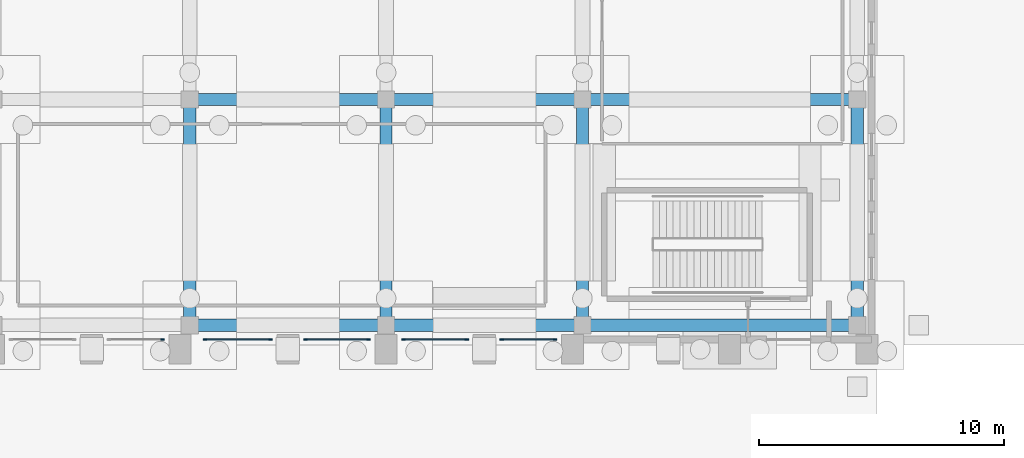
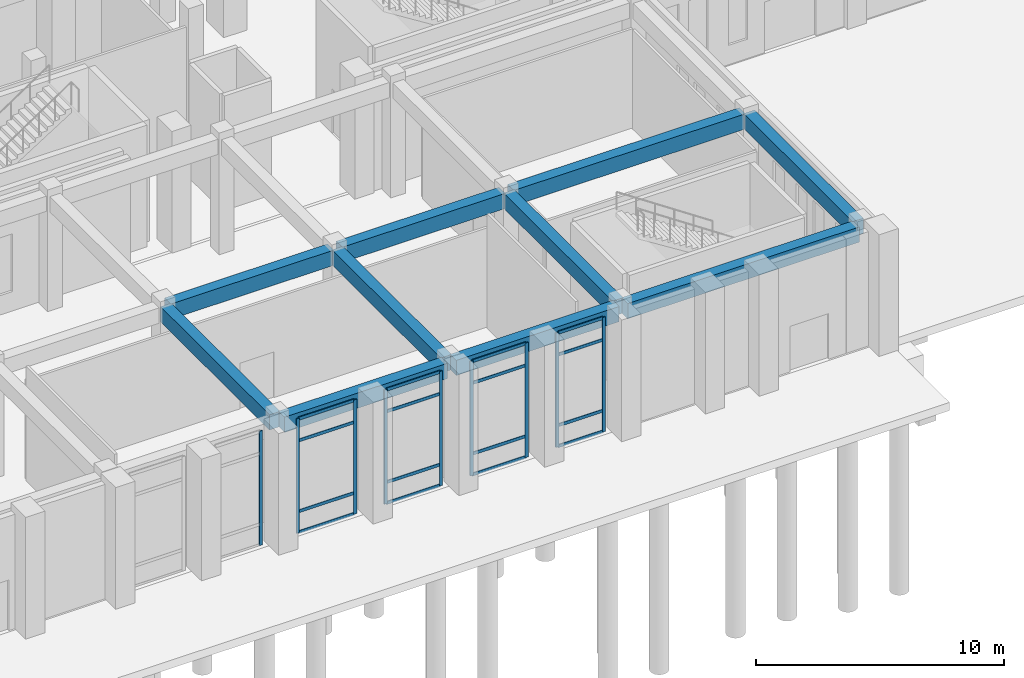
# One storey, part 25 of 143: 25 members, 10 beams, 5 elements without a shape of their own.
"""IFC4 building model written with IfcOpenShell, lengths in metres."""

from ifc_helpers import new_model, si_unit, derived_unit, direction, frame, origin, origin_2d, place, context, subcontext, project, spatial, rectangle, extrude, material, layer, layer_set, material_profile, profile_set, type_object, element, aggregate, save


model = new_model("IFC4")

# Units and contexts
model_context = context("Model", 3, precision=1e-05, world=origin(), true_north=direction((0.0, 1.0)))
body_context = subcontext(model_context, "Body", "Model", "MODEL_VIEW")
ifc_project = project(units=[si_unit("LENGTHUNIT", "METRE"), si_unit("AREAUNIT", "SQUARE_METRE"), si_unit("VOLUMEUNIT", "CUBIC_METRE"), si_unit("PLANEANGLEUNIT", "RADIAN"), si_unit("MASSUNIT", "GRAM", prefix="KILO"), derived_unit("THERMALTRANSMITTANCEUNIT", [(si_unit("MASSUNIT", "GRAM", prefix="KILO"), 1), (si_unit("TIMEUNIT", "SECOND"), -3), (si_unit("THERMODYNAMICTEMPERATUREUNIT", "KELVIN"), -1)])], contexts=[model_context])

# Site, building, storey
site_placement = place(None, origin())
site = spatial("IfcSite", under=ifc_project, at=site_placement, CompositionType="ELEMENT")
building_placement = place(site_placement, origin())
building = spatial("IfcBuilding", under=site, at=building_placement, Name="Valcora Ridge Arena", CompositionType="ELEMENT")
storey_placement = place(building_placement, origin())
storey = spatial("IfcBuildingStorey", under=building, at=storey_placement, Name="L00", CompositionType="ELEMENT", Elevation=0.0)

# Beams
ifc_material_1 = material(Name="Concrete C40/50", Category="concrete")
ifc_material_profile_1 = material_profile(ifc_material_1, rectangle(XDim=0.5, YDim=0.75, at=origin_2d()), Name="RC 500x750")
ifc_profile_set_1 = profile_set([ifc_material_profile_1], Name="Concrete C40/50")
beam_type_1 = type_object("IfcBeamType", Name="TY-BEAM-B-RC500-X", PredefinedType="BEAM", material=ifc_profile_set_1)
for number, where, z_axis, x_axis, name in (
    (1, (32.199951171875, 10.0, 5.264892578125), (1.0, 0.0, 0.0), (0.0, 1.0, 0.0), "B-RC500-X BEM-B-RC500-X-0005"),
    (2, (40.199951171875, 10.0, 5.264892578125), (1.0, 0.0, 0.0), (0.0, 1.0, 0.0), "B-RC500-X BEM-B-RC500-X-0006"),
):
    element("IfcBeam", number, at=place(storey_placement, frame(where, z_axis=z_axis, x_axis=x_axis)), inside=storey, type_object=beam_type_1, Name=name, PredefinedType="BEAM", context=body_context, shape_type="SweptSolid", body=[
        extrude(rectangle(XDim=0.5, YDim=0.75, at=origin_2d()), origin(), (0.0, 0.0, 1.0), 7.60009765625),
    ])
beam_1_placement = place(storey_placement, frame((48.199951171875, 10.0, 5.264892578125), z_axis=(1.0, 0.0, 0.0), x_axis=(0.0, 1.0, 0.0)))
element("IfcBeam", 3, at=beam_1_placement, inside=storey, type_object=beam_type_1, Name="B-RC500-X BEM-B-RC500-X-0007", PredefinedType="BEAM", context=body_context, shape_type="SweptSolid", body=[
    extrude(rectangle(XDim=0.5, YDim=0.75, at=origin_2d()), origin(), (0.0, 0.0, 1.0), 10.800048828125),
])
ifc_material_profile_2 = material_profile(ifc_material_1, rectangle(XDim=0.5, YDim=0.75, at=origin_2d()), Name="RC 500x750")
ifc_profile_set_2 = profile_set([ifc_material_profile_2], Name="Concrete C40/50")
beam_type_2 = type_object("IfcBeamType", Name="TY-BEAM-B-RC500-Y", PredefinedType="BEAM", material=ifc_profile_set_2)
for number, where, z_axis, x_axis, name in (
    (4, (32.0, 1.0, 5.264892578125), (0.0, 1.0, 0.0), (-1.0, 0.0, 0.0), "B-RC500-Y BEM-B-RC500-Y-0026"),
    (5, (40.0, 1.0, 5.264892578125), (0.0, 1.0, 0.0), (-1.0, 0.0, 0.0), "B-RC500-Y BEM-B-RC500-Y-0028"),
    (6, (48.0, 1.0, 5.264892578125), (0.0, 1.0, 0.0), (-1.0, 0.0, 0.0), "B-RC500-Y BEM-B-RC500-Y-0030"),
    (7, (59.199951171875, 1.0, 5.264892578125), (0.0, 1.0, 0.0), (-1.0, 0.0, 0.0), "B-RC500-Y BEM-B-RC500-Y-0032"),
):
    element("IfcBeam", number, at=place(storey_placement, frame(where, z_axis=z_axis, x_axis=x_axis)), inside=storey, type_object=beam_type_2, Name=name, PredefinedType="BEAM", context=body_context, shape_type="SweptSolid", body=[
        extrude(rectangle(XDim=0.5, YDim=0.75, at=origin_2d()), origin(), (0.0, 0.0, 1.0), 8.800048828125),
    ])
ifc_material_profile_3 = material_profile(ifc_material_1, rectangle(XDim=0.5, YDim=0.75, at=origin_2d()), Name="RC 500x750")
ifc_profile_set_3 = profile_set([ifc_material_profile_3], Name="Concrete C40/50")
beam_type_3 = type_object("IfcBeamType", Name="TY-BEAM-EB-RC500", PredefinedType="BEAM", material=ifc_profile_set_3)
for number, where, z_axis, x_axis, name in (
    (8, (32.199951171875, 0.800048828125, 5.264892578125), (1.0, 0.0, 0.0), (0.0, 1.0, 0.0), "EB-RC500 BEM-EB-RC500-0005"),
    (9, (40.199951171875, 0.800048828125, 5.264892578125), (1.0, 0.0, 0.0), (0.0, 1.0, 0.0), "EB-RC500 BEM-EB-RC500-0006"),
):
    element("IfcBeam", number, at=place(storey_placement, frame(where, z_axis=z_axis, x_axis=x_axis)), inside=storey, type_object=beam_type_3, Name=name, PredefinedType="BEAM", context=body_context, shape_type="SweptSolid", body=[
        extrude(rectangle(XDim=0.5, YDim=0.75, at=origin_2d()), origin(), (0.0, 0.0, 1.0), 7.60009765625),
    ])
beam_2_placement = place(storey_placement, frame((48.199951171875, 0.800048828125, 5.264892578125), z_axis=(1.0, 0.0, 0.0), x_axis=(0.0, 1.0, 0.0)))
element("IfcBeam", 10, at=beam_2_placement, inside=storey, type_object=beam_type_3, Name="EB-RC500 BEM-EB-RC500-0007", PredefinedType="BEAM", context=body_context, shape_type="SweptSolid", body=[
    extrude(rectangle(XDim=0.5, YDim=0.75, at=origin_2d()), origin(), (0.0, 0.0, 1.0), 10.800048828125),
])

# Curtain wall, member
ifc_material_2 = material(Name="Anodised dark bronze architectural aluminium 6063-T6", Category="aluminium")
ifc_layer_1 = layer(ifc_material_2, 0.14990234375, Name="Anodised dark bronze architectural aluminium 6063-T6")
ifc_layer_set_1 = layer_set([ifc_layer_1], Name="Anodised dark bronze architectural aluminium 6063-T6")
curtain_wall_type_1 = type_object("IfcCurtainWallType", Name="TY-CURTAINWALL-CW-V4-CLUB-022X56", PredefinedType="NOTDEFINED", material=ifc_layer_set_1)
curtain_wall_1_placement = place(storey_placement, origin())
curtain_wall_1 = element("IfcCurtainWall", 11, at=curtain_wall_1_placement, inside=storey, type_object=curtain_wall_type_1, Name="CW-V4-CLUB-022X56 CW-0185", PredefinedType="NOTDEFINED")
ifc_material_profile_4 = material_profile(ifc_material_2, rectangle(XDim=0.050048828125, YDim=0.14990234375, at=origin_2d()), Name="ALU MULLION 50x150")
ifc_profile_set_4 = profile_set([ifc_material_profile_4], Name="Anodised dark bronze architectural aluminium 6063-T6")
member_type_1 = type_object("IfcMemberType", Name="TY-MEM-CWM-50x150", PredefinedType="MULLION", material=ifc_profile_set_4)
member_1_placement = place(storey_placement, frame((30.885009765625, 0.219970703125, 0.0), z_axis=(0.0, 0.0, 1.0), x_axis=(0.0, 1.0, 0.0)))
member_1 = element("IfcMember", 12, at=member_1_placement, type_object=member_type_1, Name="CW-0185/CWM-50x150/M01", PredefinedType="MULLION", context=body_context, shape_type="SweptSolid", body=[
    extrude(rectangle(XDim=0.050048828125, YDim=0.14990234375, at=origin_2d()), origin(), (0.0, 0.0, 1.0), 5.639892578125),
])
aggregate(curtain_wall_1, [member_1])

# Curtain wall, members
ifc_layer_2 = layer(ifc_material_2, 0.14990234375, Name="Anodised dark bronze architectural aluminium 6063-T6")
ifc_layer_set_2 = layer_set([ifc_layer_2], Name="Anodised dark bronze architectural aluminium 6063-T6")
curtain_wall_type_2 = type_object("IfcCurtainWallType", Name="TY-CURTAINWALL-CW-V4-CLUB-027X56", PredefinedType="NOTDEFINED", material=ifc_layer_set_2)
curtain_wall_2_placement = place(storey_placement, origin())
curtain_wall_2 = element("IfcCurtainWall", 13, at=curtain_wall_2_placement, inside=storey, type_object=curtain_wall_type_2, Name="CW-V4-CLUB-027X56 CW-0186", PredefinedType="NOTDEFINED")
member_2_placement = place(storey_placement, frame((32.614990234375, 0.219970703125, 0.0), z_axis=(0.0, 0.0, 1.0), x_axis=(0.0, 1.0, 0.0)))
member_2 = element("IfcMember", 14, at=member_2_placement, type_object=member_type_1, Name="CW-0186/CWM-50x150/M00", PredefinedType="MULLION", context=body_context, shape_type="SweptSolid", body=[
    extrude(rectangle(XDim=0.050048828125, YDim=0.14990234375, at=origin_2d()), origin(), (0.0, 0.0, 1.0), 5.639892578125),
])
member_3_placement = place(storey_placement, frame((35.284912109375, 0.219970703125, 0.0), z_axis=(0.0, 0.0, 1.0), x_axis=(0.0, 1.0, 0.0)))
member_3 = element("IfcMember", 15, at=member_3_placement, type_object=member_type_1, Name="CW-0186/CWM-50x150/M01", PredefinedType="MULLION", context=body_context, shape_type="SweptSolid", body=[
    extrude(rectangle(XDim=0.050048828125, YDim=0.14990234375, at=origin_2d()), origin(), (0.0, 0.0, 1.0), 5.639892578125),
])

ifc_layer_3 = layer(ifc_material_2, 0.14990234375, Name="Anodised dark bronze architectural aluminium 6063-T6")
ifc_layer_set_3 = layer_set([ifc_layer_3], Name="Anodised dark bronze architectural aluminium 6063-T6")
curtain_wall_type_3 = type_object("IfcCurtainWallType", Name="TY-CURTAINWALL-CW-V4-CLUB-026X56", PredefinedType="NOTDEFINED", material=ifc_layer_set_3)
curtain_wall_3_placement = place(storey_placement, origin())
curtain_wall_3 = element("IfcCurtainWall", 16, at=curtain_wall_3_placement, inside=storey, type_object=curtain_wall_type_3, Name="CW-V4-CLUB-026X56 CW-0187", PredefinedType="NOTDEFINED")
member_4_placement = place(storey_placement, frame((36.715087890625, 0.219970703125, 0.0), z_axis=(0.0, 0.0, 1.0), x_axis=(0.0, 1.0, 0.0)))
member_4 = element("IfcMember", 17, at=member_4_placement, type_object=member_type_1, Name="CW-0187/CWM-50x150/M00", PredefinedType="MULLION", context=body_context, shape_type="SweptSolid", body=[
    extrude(rectangle(XDim=0.050048828125, YDim=0.14990234375, at=origin_2d()), origin(), (0.0, 0.0, 1.0), 5.639892578125),
])
member_5_placement = place(storey_placement, frame((39.284912109375, 0.219970703125, 0.0), z_axis=(0.0, 0.0, 1.0), x_axis=(0.0, 1.0, 0.0)))
member_5 = element("IfcMember", 18, at=member_5_placement, type_object=member_type_1, Name="CW-0187/CWM-50x150/M01", PredefinedType="MULLION", context=body_context, shape_type="SweptSolid", body=[
    extrude(rectangle(XDim=0.050048828125, YDim=0.14990234375, at=origin_2d()), origin(), (0.0, 0.0, 1.0), 5.639892578125),
])

curtain_wall_4_placement = place(storey_placement, origin())
curtain_wall_4 = element("IfcCurtainWall", 19, at=curtain_wall_4_placement, inside=storey, type_object=curtain_wall_type_3, Name="CW-V4-CLUB-026X56 CW-0188", PredefinedType="NOTDEFINED")
member_6_placement = place(storey_placement, frame((40.715087890625, 0.219970703125, 0.0), z_axis=(0.0, 0.0, 1.0), x_axis=(0.0, 1.0, 0.0)))
member_6 = element("IfcMember", 20, at=member_6_placement, type_object=member_type_1, Name="CW-0188/CWM-50x150/M00", PredefinedType="MULLION", context=body_context, shape_type="SweptSolid", body=[
    extrude(rectangle(XDim=0.050048828125, YDim=0.14990234375, at=origin_2d()), origin(), (0.0, 0.0, 1.0), 5.639892578125),
])
member_7_placement = place(storey_placement, frame((43.284912109375, 0.219970703125, 0.0), z_axis=(0.0, 0.0, 1.0), x_axis=(0.0, 1.0, 0.0)))
member_7 = element("IfcMember", 21, at=member_7_placement, type_object=member_type_1, Name="CW-0188/CWM-50x150/M01", PredefinedType="MULLION", context=body_context, shape_type="SweptSolid", body=[
    extrude(rectangle(XDim=0.050048828125, YDim=0.14990234375, at=origin_2d()), origin(), (0.0, 0.0, 1.0), 5.639892578125),
])

curtain_wall_5_placement = place(storey_placement, origin())
curtain_wall_5 = element("IfcCurtainWall", 22, at=curtain_wall_5_placement, inside=storey, type_object=curtain_wall_type_1, Name="CW-V4-CLUB-022X56 CW-0189", PredefinedType="NOTDEFINED")
member_8_placement = place(storey_placement, frame((44.715087890625, 0.219970703125, 0.0), z_axis=(0.0, 0.0, 1.0), x_axis=(0.0, 1.0, 0.0)))
member_8 = element("IfcMember", 23, at=member_8_placement, type_object=member_type_1, Name="CW-0189/CWM-50x150/M00", PredefinedType="MULLION", context=body_context, shape_type="SweptSolid", body=[
    extrude(rectangle(XDim=0.050048828125, YDim=0.14990234375, at=origin_2d()), origin(), (0.0, 0.0, 1.0), 5.639892578125),
])
member_9_placement = place(storey_placement, frame((46.885009765625, 0.219970703125, 0.0), z_axis=(0.0, 0.0, 1.0), x_axis=(0.0, 1.0, 0.0)))
member_9 = element("IfcMember", 24, at=member_9_placement, type_object=member_type_1, Name="CW-0189/CWM-50x150/M01", PredefinedType="MULLION", context=body_context, shape_type="SweptSolid", body=[
    extrude(rectangle(XDim=0.050048828125, YDim=0.14990234375, at=origin_2d()), origin(), (0.0, 0.0, 1.0), 5.639892578125),
])

# Member
ifc_material_profile_5 = material_profile(ifc_material_2, rectangle(XDim=0.050048828125, YDim=0.14990234375, at=origin_2d()), Name="ALU TRANSOM 50x150")
ifc_profile_set_5 = profile_set([ifc_material_profile_5], Name="Anodised dark bronze architectural aluminium 6063-T6")
member_type_2 = type_object("IfcMemberType", Name="TY-MEM-CWT-50x150", PredefinedType="USERDEFINED", material=ifc_profile_set_5)
member_10_placement = place(storey_placement, frame((32.639892578125, 0.219970703125, 0.02490234375), z_axis=(1.0, 0.0, 0.0), x_axis=(0.0, 1.0, 0.0)))
member_10 = element("IfcMember", 25, at=member_10_placement, type_object=member_type_2, Name="CW-0186/CWT-50x150/T00-00", ObjectType="TRANSOM", PredefinedType="USERDEFINED", context=body_context, shape_type="SweptSolid", body=[
    extrude(rectangle(XDim=0.050048828125, YDim=0.14990234375, at=origin_2d()), origin(), (0.0, 0.0, 1.0), 2.6201171875),
])

member_11_placement = place(storey_placement, frame((32.639892578125, 0.219970703125, 1.050048828125), z_axis=(1.0, 0.0, 0.0), x_axis=(0.0, 1.0, 0.0)))
member_11 = element("IfcMember", 26, at=member_11_placement, type_object=member_type_2, Name="CW-0186/CWT-50x150/T00-01", ObjectType="TRANSOM", PredefinedType="USERDEFINED", context=body_context, shape_type="SweptSolid", body=[
    extrude(rectangle(XDim=0.050048828125, YDim=0.14990234375, at=origin_2d()), origin(), (0.0, 0.0, 1.0), 2.6201171875),
])

member_12_placement = place(storey_placement, frame((32.639892578125, 0.219970703125, 4.5400390625), z_axis=(1.0, 0.0, 0.0), x_axis=(0.0, 1.0, 0.0)))
member_12 = element("IfcMember", 27, at=member_12_placement, type_object=member_type_2, Name="CW-0186/CWT-50x150/T00-02", ObjectType="TRANSOM", PredefinedType="USERDEFINED", context=body_context, shape_type="SweptSolid", body=[
    extrude(rectangle(XDim=0.050048828125, YDim=0.14990234375, at=origin_2d()), origin(), (0.0, 0.0, 1.0), 2.6201171875),
])

member_13_placement = place(storey_placement, frame((32.639892578125, 0.219970703125, 5.614990234375), z_axis=(1.0, 0.0, 0.0), x_axis=(0.0, 1.0, 0.0)))
member_13 = element("IfcMember", 28, at=member_13_placement, type_object=member_type_2, Name="CW-0186/CWT-50x150/T00-03", ObjectType="TRANSOM", PredefinedType="USERDEFINED", context=body_context, shape_type="SweptSolid", body=[
    extrude(rectangle(XDim=0.050048828125, YDim=0.14990234375, at=origin_2d()), origin(), (0.0, 0.0, 1.0), 2.6201171875),
])

aggregate(curtain_wall_2, [member_2, member_3, member_10, member_11, member_12, member_13])

member_14_placement = place(storey_placement, frame((36.739990234375, 0.219970703125, 0.02490234375), z_axis=(1.0, 0.0, 0.0), x_axis=(0.0, 1.0, 0.0)))
member_14 = element("IfcMember", 29, at=member_14_placement, type_object=member_type_2, Name="CW-0187/CWT-50x150/T00-00", ObjectType="TRANSOM", PredefinedType="USERDEFINED", context=body_context, shape_type="SweptSolid", body=[
    extrude(rectangle(XDim=0.050048828125, YDim=0.14990234375, at=origin_2d()), origin(), (0.0, 0.0, 1.0), 2.52001953125),
])

member_15_placement = place(storey_placement, frame((36.739990234375, 0.219970703125, 1.050048828125), z_axis=(1.0, 0.0, 0.0), x_axis=(0.0, 1.0, 0.0)))
member_15 = element("IfcMember", 30, at=member_15_placement, type_object=member_type_2, Name="CW-0187/CWT-50x150/T00-01", ObjectType="TRANSOM", PredefinedType="USERDEFINED", context=body_context, shape_type="SweptSolid", body=[
    extrude(rectangle(XDim=0.050048828125, YDim=0.14990234375, at=origin_2d()), origin(), (0.0, 0.0, 1.0), 2.52001953125),
])

member_16_placement = place(storey_placement, frame((36.739990234375, 0.219970703125, 4.5400390625), z_axis=(1.0, 0.0, 0.0), x_axis=(0.0, 1.0, 0.0)))
member_16 = element("IfcMember", 31, at=member_16_placement, type_object=member_type_2, Name="CW-0187/CWT-50x150/T00-02", ObjectType="TRANSOM", PredefinedType="USERDEFINED", context=body_context, shape_type="SweptSolid", body=[
    extrude(rectangle(XDim=0.050048828125, YDim=0.14990234375, at=origin_2d()), origin(), (0.0, 0.0, 1.0), 2.52001953125),
])

member_17_placement = place(storey_placement, frame((36.739990234375, 0.219970703125, 5.614990234375), z_axis=(1.0, 0.0, 0.0), x_axis=(0.0, 1.0, 0.0)))
member_17 = element("IfcMember", 32, at=member_17_placement, type_object=member_type_2, Name="CW-0187/CWT-50x150/T00-03", ObjectType="TRANSOM", PredefinedType="USERDEFINED", context=body_context, shape_type="SweptSolid", body=[
    extrude(rectangle(XDim=0.050048828125, YDim=0.14990234375, at=origin_2d()), origin(), (0.0, 0.0, 1.0), 2.52001953125),
])

aggregate(curtain_wall_3, [member_4, member_5, member_14, member_15, member_16, member_17])

member_18_placement = place(storey_placement, frame((40.739990234375, 0.219970703125, 0.02490234375), z_axis=(1.0, 0.0, 0.0), x_axis=(0.0, 1.0, 0.0)))
member_18 = element("IfcMember", 33, at=member_18_placement, type_object=member_type_2, Name="CW-0188/CWT-50x150/T00-00", ObjectType="TRANSOM", PredefinedType="USERDEFINED", context=body_context, shape_type="SweptSolid", body=[
    extrude(rectangle(XDim=0.050048828125, YDim=0.14990234375, at=origin_2d()), origin(), (0.0, 0.0, 1.0), 2.52001953125),
])

member_19_placement = place(storey_placement, frame((40.739990234375, 0.219970703125, 1.050048828125), z_axis=(1.0, 0.0, 0.0), x_axis=(0.0, 1.0, 0.0)))
member_19 = element("IfcMember", 34, at=member_19_placement, type_object=member_type_2, Name="CW-0188/CWT-50x150/T00-01", ObjectType="TRANSOM", PredefinedType="USERDEFINED", context=body_context, shape_type="SweptSolid", body=[
    extrude(rectangle(XDim=0.050048828125, YDim=0.14990234375, at=origin_2d()), origin(), (0.0, 0.0, 1.0), 2.52001953125),
])

member_20_placement = place(storey_placement, frame((40.739990234375, 0.219970703125, 4.5400390625), z_axis=(1.0, 0.0, 0.0), x_axis=(0.0, 1.0, 0.0)))
member_20 = element("IfcMember", 35, at=member_20_placement, type_object=member_type_2, Name="CW-0188/CWT-50x150/T00-02", ObjectType="TRANSOM", PredefinedType="USERDEFINED", context=body_context, shape_type="SweptSolid", body=[
    extrude(rectangle(XDim=0.050048828125, YDim=0.14990234375, at=origin_2d()), origin(), (0.0, 0.0, 1.0), 2.52001953125),
])

member_21_placement = place(storey_placement, frame((40.739990234375, 0.219970703125, 5.614990234375), z_axis=(1.0, 0.0, 0.0), x_axis=(0.0, 1.0, 0.0)))
member_21 = element("IfcMember", 36, at=member_21_placement, type_object=member_type_2, Name="CW-0188/CWT-50x150/T00-03", ObjectType="TRANSOM", PredefinedType="USERDEFINED", context=body_context, shape_type="SweptSolid", body=[
    extrude(rectangle(XDim=0.050048828125, YDim=0.14990234375, at=origin_2d()), origin(), (0.0, 0.0, 1.0), 2.52001953125),
])

aggregate(curtain_wall_4, [member_6, member_7, member_18, member_19, member_20, member_21])

member_22_placement = place(storey_placement, frame((44.739990234375, 0.219970703125, 0.02490234375), z_axis=(1.0, 0.0, 0.0), x_axis=(0.0, 1.0, 0.0)))
member_22 = element("IfcMember", 37, at=member_22_placement, type_object=member_type_2, Name="CW-0189/CWT-50x150/T00-00", ObjectType="TRANSOM", PredefinedType="USERDEFINED", context=body_context, shape_type="SweptSolid", body=[
    extrude(rectangle(XDim=0.050048828125, YDim=0.14990234375, at=origin_2d()), origin(), (0.0, 0.0, 1.0), 2.1201171875),
])

member_23_placement = place(storey_placement, frame((44.739990234375, 0.219970703125, 1.050048828125), z_axis=(1.0, 0.0, 0.0), x_axis=(0.0, 1.0, 0.0)))
member_23 = element("IfcMember", 38, at=member_23_placement, type_object=member_type_2, Name="CW-0189/CWT-50x150/T00-01", ObjectType="TRANSOM", PredefinedType="USERDEFINED", context=body_context, shape_type="SweptSolid", body=[
    extrude(rectangle(XDim=0.050048828125, YDim=0.14990234375, at=origin_2d()), origin(), (0.0, 0.0, 1.0), 2.1201171875),
])

member_24_placement = place(storey_placement, frame((44.739990234375, 0.219970703125, 4.5400390625), z_axis=(1.0, 0.0, 0.0), x_axis=(0.0, 1.0, 0.0)))
member_24 = element("IfcMember", 39, at=member_24_placement, type_object=member_type_2, Name="CW-0189/CWT-50x150/T00-02", ObjectType="TRANSOM", PredefinedType="USERDEFINED", context=body_context, shape_type="SweptSolid", body=[
    extrude(rectangle(XDim=0.050048828125, YDim=0.14990234375, at=origin_2d()), origin(), (0.0, 0.0, 1.0), 2.1201171875),
])

member_25_placement = place(storey_placement, frame((44.739990234375, 0.219970703125, 5.614990234375), z_axis=(1.0, 0.0, 0.0), x_axis=(0.0, 1.0, 0.0)))
member_25 = element("IfcMember", 40, at=member_25_placement, type_object=member_type_2, Name="CW-0189/CWT-50x150/T00-03", ObjectType="TRANSOM", PredefinedType="USERDEFINED", context=body_context, shape_type="SweptSolid", body=[
    extrude(rectangle(XDim=0.050048828125, YDim=0.14990234375, at=origin_2d()), origin(), (0.0, 0.0, 1.0), 2.1201171875),
])

aggregate(curtain_wall_5, [member_8, member_9, member_22, member_23, member_24, member_25])

save(model, "model.ifc")
